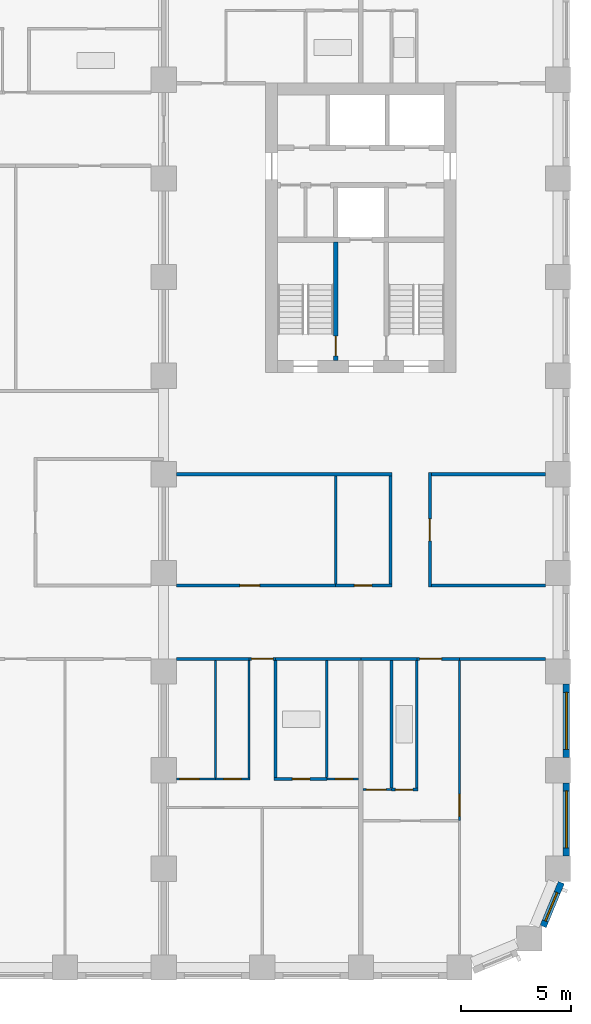
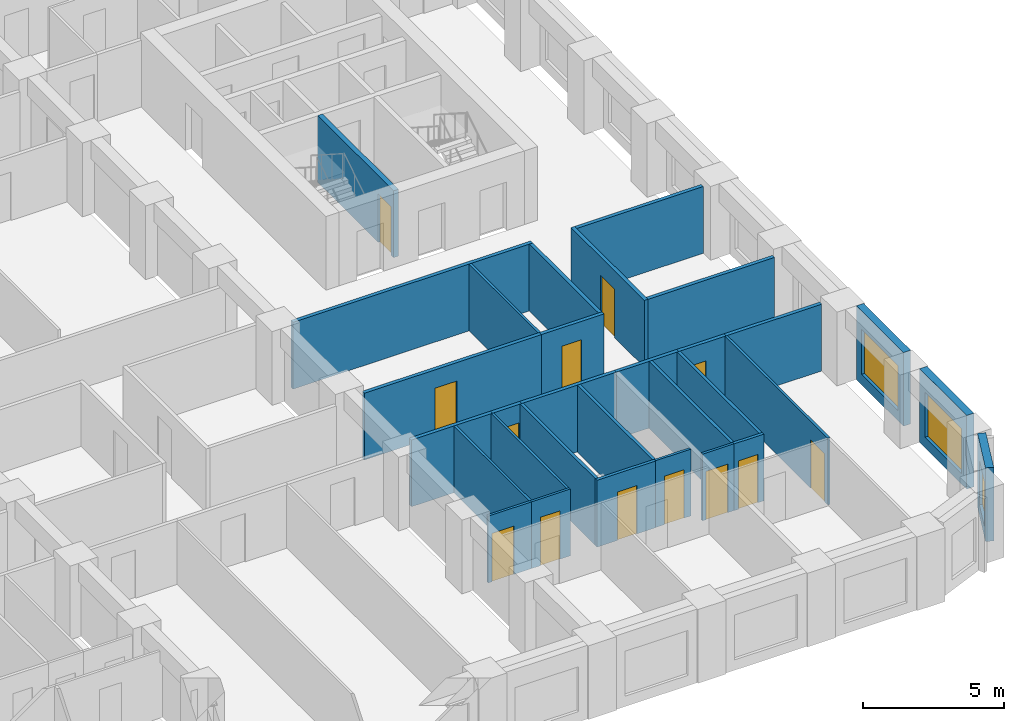
# One storey, part 5 of 13: 31 walls, 13 doors, 3 windows, 16 openings.
"""IFC4 building model written with IfcOpenShell, lengths in metres."""

import ifcopenshell
import ifcopenshell.guid

model = None  # the IFC model being written
_history = None  # IfcOwnerHistory: only IFC2X3 demands one
_inside = {}  # id of a spatial element -> (the spatial element, [elements in it])
_under = {}  # id of a project, library or spatial element -> (it, [spatial elements below it])
_declared = {}  # id of a project -> (the project, [libraries it declares])
_typed = {}  # id of a type object -> (the type object, [elements of that type])
_made_of = {}  # id of a material, layer set ... -> (it, [elements and type objects made of it])


def new_model(schema):
    """Start an empty IFC model of exactly this schema.

    Asked for "IFC4X3", IfcOpenShell would pick the latest addendum, in which some entities
    have other attributes; the version numbers below select the first issue.
    IFC2X3 requires an IfcOwnerHistory on every rooted entity: one is made here for all.
    """
    global model, _history
    if schema == "IFC4X3":
        model = ifcopenshell.file(schema_version=(4, 3, 0, 0))
    else:
        model = ifcopenshell.file(schema=schema)
    _inside.clear()
    _under.clear()
    _declared.clear()
    _typed.clear()
    _made_of.clear()
    _history = None
    if model.schema == "IFC2X3":
        org = make("IfcOrganization", Name="unknown")
        user = make(
            "IfcPersonAndOrganization",
            ThePerson=make("IfcPerson", FamilyName="unknown"),
            TheOrganization=org,
        )
        app = make(
            "IfcApplication",
            ApplicationDeveloper=org,
            Version="unknown",
            ApplicationFullName="unknown",
            ApplicationIdentifier="unknown",
        )
        _history = make(
            "IfcOwnerHistory",
            OwningUser=user,
            OwningApplication=app,
            ChangeAction="ADDED",
            CreationDate=0,
        )
    return model


def make(cls, **values):
    """One entity of the class cls with the attributes given. An attribute that is None is left unset."""
    return model.create_entity(
        cls, **{name: value for name, value in values.items() if value is not None}
    )


def rooted(cls, **values):
    """An entity with a GlobalId (a new one), such as an element, a storey or a relation."""
    return make(cls, GlobalId=ifcopenshell.guid.new(), OwnerHistory=_history, **values)


def si_unit(unit_type, name, prefix=None):
    """IfcSIUnit, for example si_unit("LENGTHUNIT", "METRE", prefix="MILLI")."""
    return make("IfcSIUnit", UnitType=unit_type, Prefix=prefix, Name=name)


def assignment(units):
    """IfcUnitAssignment: the units of a project."""
    return None if units is None else make("IfcUnitAssignment", Units=units)


def point(xyz):
    """IfcCartesianPoint."""
    return None if xyz is None else make("IfcCartesianPoint", Coordinates=xyz)


def direction(xyz):
    """IfcDirection."""
    return None if xyz is None else make("IfcDirection", DirectionRatios=xyz)


def frame(location, z_axis=None, x_axis=None):
    """IfcAxis2Placement3D, a coordinate frame: its origin and axes. An axis left out is left unset."""
    return make(
        "IfcAxis2Placement3D",
        Location=point(location),
        Axis=direction(z_axis),
        RefDirection=direction(x_axis),
    )


def frame_2d(location, x_axis=None):
    """IfcAxis2Placement2D, a coordinate frame in the plane: its origin and x axis."""
    return make(
        "IfcAxis2Placement2D", Location=point(location), RefDirection=direction(x_axis)
    )


def origin():
    """The frame at (0, 0, 0) with its axes left unset."""
    return frame((0.0, 0.0, 0.0))


def place(relative_to, where):
    """IfcLocalPlacement: puts the frame where relative to a parent placement (None: the world)."""
    return make(
        "IfcLocalPlacement", PlacementRelTo=relative_to, RelativePlacement=where
    )


def context(
    kind, dimensions, precision=None, world=None, true_north=None, identifier=None
):
    """IfcGeometricRepresentationContext, for example the 3D "Model" context."""
    return make(
        "IfcGeometricRepresentationContext",
        ContextIdentifier=identifier,
        ContextType=kind,
        CoordinateSpaceDimension=dimensions,
        Precision=precision,
        WorldCoordinateSystem=world,
        TrueNorth=true_north,
    )


def subcontext(parent, identifier, kind, view, scale=None):
    """IfcGeometricRepresentationSubContext, for example "Body" below "Model"."""
    return make(
        "IfcGeometricRepresentationSubContext",
        ContextIdentifier=identifier,
        ContextType=kind,
        ParentContext=parent,
        TargetScale=scale,
        TargetView=view,
    )


def project(units=None, contexts=None):
    """IfcProject with its units and contexts."""
    return rooted(
        "IfcProject",
        Name="project",
        RepresentationContexts=contexts,
        UnitsInContext=assignment(units),
    )


def spatial(cls, under=None, at=None, **own):
    """A site, building, storey or space (cls), placed at a placement, below another one or the project."""
    s = rooted(cls, ObjectPlacement=at, **own)
    if under is not None:
        _under.setdefault(under.id(), (under, []))[1].append(s)
    return s


def profile(cls, at=None, kind="AREA", **sizes):
    """A parametric profile (cls). Its sizes go by their IFC names, for example OverallWidth=200.0."""
    return make(cls, ProfileType=kind, Position=at, **sizes)


def rectangle(**sizes):
    """IfcRectangleProfileDef."""
    return profile("IfcRectangleProfileDef", **sizes)


def extrude(swept, where, along, depth):
    """IfcExtrudedAreaSolid: the profile swept, set in the frame where, extruded along a direction by depth."""
    return make(
        "IfcExtrudedAreaSolid",
        SweptArea=swept,
        Position=where,
        ExtrudedDirection=direction(along),
        Depth=depth,
    )


def shape(context_of_items, identifier, shape_type, items):
    """IfcShapeRepresentation: the items that make up one representation, for example the "Body"."""
    return make(
        "IfcShapeRepresentation",
        ContextOfItems=context_of_items,
        RepresentationIdentifier=identifier,
        RepresentationType=shape_type,
        Items=items,
    )


def material(Name=None, Category=None):
    """IfcMaterial."""
    return make("IfcMaterial", Name=Name, Category=Category)


def layer(
    of_material, thickness, ventilated=None, Name=None, Category=None, Priority=None
):
    """IfcMaterialLayer: one layer of a wall or slab, of a material (None: an air gap)."""
    return make(
        "IfcMaterialLayer",
        Material=of_material,
        LayerThickness=thickness,
        IsVentilated=ventilated,
        Name=Name,
        Category=Category,
        Priority=Priority,
    )


def layer_set(layers, Name=None):
    """IfcMaterialLayerSet."""
    return make("IfcMaterialLayerSet", MaterialLayers=layers, LayerSetName=Name)


def made_of(thing, what):
    """Note that an element or type object is made of a material, layer set ...; save() writes the relation."""
    if what is not None:
        _made_of.setdefault(what.id(), (what, []))[1].append(thing)
    return thing


def type_object(cls, material=None, **own):
    """A type object (cls), such as IfcWallType, which elements share."""
    return made_of(rooted(cls, **own), material)


def element(
    cls,
    number,
    at=None,
    inside=None,
    cuts=None,
    type_object=None,
    material=None,
    context=None,
    identifier="Body",
    shape_type=None,
    held_by="IfcProductDefinitionShape",
    body=None,
    shapes=None,
    **own,
):
    """One element of the class cls, such as IfcWall. Its Tag is "e" and its number.

    at: its placement. inside: the storey or other place that contains it. cuts: it is an
    opening in that element (IfcRelVoidsElement). A single representation is given by context,
    identifier, shape_type and body (its items); several are given by shapes. held_by: the class
    of the entity that holds the representations. save() writes the other relations.
    """
    e = rooted(cls, Tag="e%d" % number, ObjectPlacement=at, **own)
    if body is not None:
        shapes = [shape(context, identifier, shape_type, body)]
    if shapes is not None:
        e.Representation = make(held_by, Representations=shapes)
    if inside is not None:
        _inside.setdefault(inside.id(), (inside, []))[1].append(e)
    if cuts is not None:
        rooted(
            "IfcRelVoidsElement", RelatingBuildingElement=cuts, RelatedOpeningElement=e
        )
    if type_object is not None:
        _typed.setdefault(type_object.id(), (type_object, []))[1].append(e)
    return made_of(e, material)


def fill(opening, filler):
    """IfcRelFillsElement: the door or window that sits in an opening."""
    return rooted(
        "IfcRelFillsElement",
        RelatingOpeningElement=opening,
        RelatedBuildingElement=filler,
    )


def aggregate(whole, parts):
    """IfcRelAggregates: a whole, such as a stair, and the parts it consists of."""
    return rooted("IfcRelAggregates", RelatingObject=whole, RelatedObjects=parts)


def save(model, path):
    """Write the relations noted so far, then the file.

    IfcRelAggregates (storeys below a building ...), IfcRelContainedInSpatialStructure (elements
    in a storey), IfcRelDefinesByType, IfcRelAssociatesMaterial and IfcRelDeclares: one each for
    every whole, place, type object, material and project.
    """
    for whole, parts in _under.values():
        aggregate(whole, parts)
    for where, things in _inside.values():
        rooted(
            "IfcRelContainedInSpatialStructure",
            RelatedElements=things,
            RelatingStructure=where,
        )
    for kind, things in _typed.values():
        rooted("IfcRelDefinesByType", RelatedObjects=things, RelatingType=kind)
    for what, things in _made_of.values():
        rooted("IfcRelAssociatesMaterial", RelatedObjects=things, RelatingMaterial=what)
    for by, libraries in _declared.values():
        rooted("IfcRelDeclares", RelatingContext=by, RelatedDefinitions=libraries)
    model.write(path)


model = new_model("IFC4")

# Units and contexts
model_context = context("Model", 3, precision=1e-05, world=origin(), true_north=direction((0.0, 1.0)))
body_context = subcontext(model_context, "Body", "Model", "MODEL_VIEW")
ifc_project = project(units=[si_unit("LENGTHUNIT", "METRE"), si_unit("AREAUNIT", "SQUARE_METRE"), si_unit("VOLUMEUNIT", "CUBIC_METRE"), si_unit("PLANEANGLEUNIT", "RADIAN"), si_unit("MASSUNIT", "GRAM", prefix="KILO")], contexts=[model_context])

# Site, building, storey
site_placement = place(None, origin())
site = spatial("IfcSite", under=ifc_project, at=site_placement, CompositionType="ELEMENT")
building_placement = place(site_placement, origin())
building = spatial("IfcBuilding", under=site, at=building_placement, Name="Girih Gate Residences", CompositionType="ELEMENT")
storey_placement = place(building_placement, frame((0.0, 0.0, 86.39990234375)))
storey = spatial("IfcBuildingStorey", under=building, at=storey_placement, Name="L23", CompositionType="ELEMENT", Elevation=86.39990234375)

# Wall, opening, door
ifc_material_1 = material(Name="Gypsum board on steel studs", Category="steel")
ifc_layer_1 = layer(ifc_material_1, 0.14990234375)
ifc_layer_set_1 = layer_set([ifc_layer_1], Name="Compartment wall 150 mm")
wall_type_1 = type_object("IfcWallType", Name="Compartment wall 150 mm", PredefinedType="PARTITIONING", material=ifc_layer_set_1)
wall_1_placement = place(storey_placement, frame((45.0, 14.074951171875, 0.0), z_axis=(0.0, 0.0, 1.0), x_axis=(-1.0, 0.0, 0.0)))
wall_1 = element("IfcWall", 1, at=wall_1_placement, inside=storey, type_object=wall_type_1, Name="L23 partition", PredefinedType="PARTITIONING", context=body_context, shape_type="SweptSolid", body=[
    extrude(rectangle(XDim=1.949951171875, YDim=0.14990234375, at=frame_2d((0.97509765625, 0.0))), origin(), (0.0, 0.0, 1.0), 2.900146484375),
])
opening_1_placement = place(wall_1_placement, frame((0.820068359375, 0.0, 0.0)))
opening_1 = element("IfcOpeningElement", 2, at=opening_1_placement, cuts=wall_1, Name="Opening A23-022", PredefinedType="OPENING", context=body_context, shape_type="SweptSolid", body=[
    extrude(rectangle(XDim=1.0, YDim=2.10009765625, at=frame_2d((0.5, 1.050048828125))), frame((0.0, 0.0849609375, 0.0), z_axis=(0.0, -1.0, 0.0), x_axis=(1.0, 0.0, 0.0)), (0.0, 0.0, 1.0), 0.169921875),
])
ifc_material_2 = material(Name="Timber, fire-rated core", Category="wood")
door_type_1 = type_object("IfcDoorType", Name="Flat entrance door 1000x2100 FD30S", OperationType="NOTDEFINED", PredefinedType="DOOR", material=ifc_material_2)
door_1_placement = place(opening_1_placement, origin())
door_1 = element("IfcDoor", 3, at=door_1_placement, inside=storey, type_object=door_type_1, Name="Door A23-022", OperationType="SINGLE_SWING_RIGHT", OverallHeight=2.10009765625, OverallWidth=1.0, PredefinedType="DOOR", context=body_context, shape_type="SweptSolid", body=[
    extrude(rectangle(XDim=1.0, YDim=2.10009765625, at=frame_2d((0.5, 1.050048828125))), frame((0.0, 0.02490234375, 0.0), z_axis=(0.0, -1.0, 0.0), x_axis=(1.0, 0.0, 0.0)), (0.0, 0.0, 1.0), 0.050048828125),
])
fill(opening_1, door_1)

# Walls
wall_2_placement = place(storey_placement, frame((40.5, 14.074951171875, 0.0), z_axis=(0.0, 0.0, 1.0), x_axis=(1.0, 0.0, 0.0)))
element("IfcWall", 4, at=wall_2_placement, inside=storey, type_object=wall_type_1, Name="L23 partition", PredefinedType="PARTITIONING", context=body_context, shape_type="SweptSolid", body=[
    extrude(rectangle(XDim=2.550048828125, YDim=0.14990234375, at=frame_2d((1.27490234375, 0.0))), origin(), (0.0, 0.0, 1.0), 2.900146484375),
])
wall_3_placement = place(storey_placement, frame((45.0, 14.074951171875, 0.0), z_axis=(0.0, 0.0, 1.0), x_axis=(1.0, 0.0, 0.0)))
element("IfcWall", 5, at=wall_3_placement, inside=storey, type_object=wall_type_1, Name="L23 partition", PredefinedType="PARTITIONING", context=body_context, shape_type="SweptSolid", body=[
    extrude(rectangle(XDim=3.925048828125, YDim=0.14990234375, at=frame_2d((1.96240234375, 0.0))), origin(), (0.0, 0.0, 1.0), 2.900146484375),
])
wall_4_placement = place(storey_placement, frame((36.60009765625, 14.074951171875, 0.0), z_axis=(0.0, 0.0, 1.0), x_axis=(1.0, 0.0, 0.0)))
element("IfcWall", 6, at=wall_4_placement, inside=storey, type_object=wall_type_1, Name="L23 partition", PredefinedType="PARTITIONING", context=body_context, shape_type="SweptSolid", body=[
    extrude(rectangle(XDim=3.89990234375, YDim=0.14990234375, at=frame_2d((1.949951171875, 0.0))), origin(), (0.0, 0.0, 1.0), 2.900146484375),
])

# Wall, opening, door
wall_5_placement = place(storey_placement, frame((36.60009765625, 14.074951171875, 0.0), z_axis=(0.0, 0.0, 1.0), x_axis=(-1.0, 0.0, 0.0)))
wall_5 = element("IfcWall", 7, at=wall_5_placement, inside=storey, type_object=wall_type_1, Name="L23 partition", PredefinedType="PARTITIONING", context=body_context, shape_type="SweptSolid", body=[
    extrude(rectangle(XDim=1.2001953125, YDim=0.14990234375, at=frame_2d((0.60009765625, 0.0))), origin(), (0.0, 0.0, 1.0), 2.900146484375),
])
opening_2_placement = place(wall_5_placement, frame((0.10009765625, 0.0, 0.0)))
opening_2 = element("IfcOpeningElement", 8, at=opening_2_placement, cuts=wall_5, Name="Opening A23-029", PredefinedType="OPENING", context=body_context, shape_type="SweptSolid", body=[
    extrude(rectangle(XDim=1.0, YDim=2.10009765625, at=frame_2d((0.5, 1.050048828125))), frame((0.0, 0.0849609375, 0.0), z_axis=(0.0, -1.0, 0.0), x_axis=(1.0, 0.0, 0.0)), (0.0, 0.0, 1.0), 0.169921875),
])
door_2_placement = place(opening_2_placement, origin())
door_2 = element("IfcDoor", 9, at=door_2_placement, inside=storey, type_object=door_type_1, Name="Door A23-029", OperationType="SINGLE_SWING_RIGHT", OverallHeight=2.10009765625, OverallWidth=1.0, PredefinedType="DOOR", context=body_context, shape_type="SweptSolid", body=[
    extrude(rectangle(XDim=1.0, YDim=2.10009765625, at=frame_2d((0.5, 1.050048828125))), frame((0.0, 0.02490234375, 0.0), z_axis=(0.0, -1.0, 0.0), x_axis=(1.0, 0.0, 0.0)), (0.0, 0.0, 1.0), 0.050048828125),
])
fill(opening_2, door_2)

# Wall
wall_6_placement = place(storey_placement, frame((32.074951171875, 14.074951171875, 0.0), z_axis=(0.0, 0.0, 1.0), x_axis=(1.0, 0.0, 0.0)))
element("IfcWall", 10, at=wall_6_placement, inside=storey, type_object=wall_type_1, Name="L23 partition", PredefinedType="PARTITIONING", context=body_context, shape_type="SweptSolid", body=[
    extrude(rectangle(XDim=3.324951171875, YDim=0.14990234375, at=frame_2d((1.66259765625, 0.0))), origin(), (0.0, 0.0, 1.0), 2.900146484375),
])

# Wall, opening, door
wall_7_placement = place(storey_placement, frame((32.074951171875, 17.425048828125, 0.0), z_axis=(0.0, 0.0, 1.0), x_axis=(1.0, 0.0, 0.0)))
wall_7 = element("IfcWall", 11, at=wall_7_placement, inside=storey, type_object=wall_type_1, Name="L23 partition", PredefinedType="PARTITIONING", context=body_context, shape_type="SweptSolid", body=[
    extrude(rectangle(XDim=7.275146484375, YDim=0.14990234375, at=frame_2d((3.6376953125, 0.0))), origin(), (0.0, 0.0, 1.0), 2.900146484375),
])
opening_3_placement = place(wall_7_placement, frame((2.89990234375, 0.0, 0.0)))
opening_3 = element("IfcOpeningElement", 12, at=opening_3_placement, cuts=wall_7, Name="Opening A23-055", PredefinedType="OPENING", context=body_context, shape_type="SweptSolid", body=[
    extrude(rectangle(XDim=0.89990234375, YDim=2.10009765625, at=frame_2d((0.449951171875, 1.050048828125))), frame((0.0, 0.0849609375, 0.0), z_axis=(0.0, -1.0, 0.0), x_axis=(1.0, 0.0, 0.0)), (0.0, 0.0, 1.0), 0.169921875),
])
ifc_material_3 = material(Name="Timber", Category="wood")
door_type_2 = type_object("IfcDoorType", Name="Service room door 900x2100", OperationType="NOTDEFINED", PredefinedType="DOOR", material=ifc_material_3)
door_3_placement = place(opening_3_placement, origin())
door_3 = element("IfcDoor", 13, at=door_3_placement, inside=storey, type_object=door_type_2, Name="Door A23-055", OperationType="SINGLE_SWING_LEFT", OverallHeight=2.10009765625, OverallWidth=0.89990234375, PredefinedType="DOOR", context=body_context, shape_type="SweptSolid", body=[
    extrude(rectangle(XDim=0.89990234375, YDim=2.10009765625, at=frame_2d((0.449951171875, 1.050048828125))), frame((0.0, 0.02490234375, 0.0), z_axis=(0.0, -1.0, 0.0), x_axis=(1.0, 0.0, 0.0)), (0.0, 0.0, 1.0), 0.050048828125),
])
fill(opening_3, door_3)

wall_8_placement = place(storey_placement, frame((39.35009765625, 17.425048828125, 0.0), z_axis=(0.0, 0.0, 1.0), x_axis=(1.0, 0.0, 0.0)))
wall_8 = element("IfcWall", 14, at=wall_8_placement, inside=storey, type_object=wall_type_1, Name="L23 partition", PredefinedType="PARTITIONING", context=body_context, shape_type="SweptSolid", body=[
    extrude(rectangle(XDim=2.574951171875, YDim=0.14990234375, at=frame_2d((1.28759765625, 0.0))), origin(), (0.0, 0.0, 1.0), 2.900146484375),
])
opening_4_placement = place(wall_8_placement, frame((0.85009765625, 0.0, 0.0)))
opening_4 = element("IfcOpeningElement", 15, at=opening_4_placement, cuts=wall_8, Name="Opening A23-057", PredefinedType="OPENING", context=body_context, shape_type="SweptSolid", body=[
    extrude(rectangle(XDim=0.800048828125, YDim=2.10009765625, at=frame_2d((0.39990234375, 1.050048828125))), frame((0.0, 0.0849609375, 0.0), z_axis=(0.0, -1.0, 0.0), x_axis=(1.0, 0.0, 0.0)), (0.0, 0.0, 1.0), 0.169921875),
])
door_type_3 = type_object("IfcDoorType", Name="Bathroom door 800x2100", OperationType="NOTDEFINED", PredefinedType="DOOR", material=ifc_material_3)
door_4_placement = place(opening_4_placement, origin())
door_4 = element("IfcDoor", 16, at=door_4_placement, inside=storey, type_object=door_type_3, Name="Door A23-057", OperationType="SINGLE_SWING_LEFT", OverallHeight=2.10009765625, OverallWidth=0.800048828125, PredefinedType="DOOR", context=body_context, shape_type="SweptSolid", body=[
    extrude(rectangle(XDim=0.800048828125, YDim=2.10009765625, at=frame_2d((0.39990234375, 1.050048828125))), frame((0.0, 0.02490234375, 0.0), z_axis=(0.0, -1.0, 0.0), x_axis=(1.0, 0.0, 0.0)), (0.0, 0.0, 1.0), 0.050048828125),
])
fill(opening_4, door_4)

# Walls
wall_9_placement = place(storey_placement, frame((43.72509765625, 17.425048828125, 0.0), z_axis=(0.0, 0.0, 1.0), x_axis=(1.0, 0.0, 0.0)))
element("IfcWall", 17, at=wall_9_placement, inside=storey, type_object=wall_type_1, Name="L23 partition", PredefinedType="PARTITIONING", context=body_context, shape_type="SweptSolid", body=[
    extrude(rectangle(XDim=5.199951171875, YDim=0.14990234375, at=frame_2d((2.60009765625, 0.0))), origin(), (0.0, 0.0, 1.0), 2.900146484375),
])
wall_10_placement = place(storey_placement, frame((32.074951171875, 22.5, 0.0), z_axis=(0.0, 0.0, 1.0), x_axis=(1.0, 0.0, 0.0)))
element("IfcWall", 18, at=wall_10_placement, inside=storey, type_object=wall_type_1, Name="L23 partition", PredefinedType="PARTITIONING", context=body_context, shape_type="SweptSolid", body=[
    extrude(rectangle(XDim=9.85009765625, YDim=0.14990234375, at=frame_2d((4.925048828125, 0.0))), origin(), (0.0, 0.0, 1.0), 2.900146484375),
])
wall_11_placement = place(storey_placement, frame((43.72509765625, 22.5, 0.0), z_axis=(0.0, 0.0, 1.0), x_axis=(1.0, 0.0, 0.0)))
element("IfcWall", 19, at=wall_11_placement, inside=storey, type_object=wall_type_1, Name="L23 partition", PredefinedType="PARTITIONING", context=body_context, shape_type="SweptSolid", body=[
    extrude(rectangle(XDim=5.199951171875, YDim=0.14990234375, at=frame_2d((2.60009765625, 0.0))), origin(), (0.0, 0.0, 1.0), 2.900146484375),
])
wall_12_placement = place(storey_placement, frame((41.85009765625, 17.5, 0.0), z_axis=(0.0, 0.0, 1.0), x_axis=(0.0, 1.0, 0.0)))
element("IfcWall", 20, at=wall_12_placement, inside=storey, type_object=wall_type_1, Name="L23 partition", PredefinedType="PARTITIONING", context=body_context, shape_type="SweptSolid", body=[
    extrude(rectangle(XDim=4.925048828125, YDim=0.14990234375, at=frame_2d((2.46240234375, 0.0))), origin(), (0.0, 0.0, 1.0), 2.900146484375),
])

# Wall, opening, door
wall_13_placement = place(storey_placement, frame((43.64990234375, 22.574951171875, 0.0), z_axis=(0.0, 0.0, 1.0), x_axis=(0.0, -1.0, 0.0)))
wall_13 = element("IfcWall", 21, at=wall_13_placement, inside=storey, type_object=wall_type_1, Name="L23 partition", PredefinedType="PARTITIONING", context=body_context, shape_type="SweptSolid", body=[
    extrude(rectangle(XDim=5.224853515625, YDim=0.14990234375, at=frame_2d((2.6123046875, 0.0))), origin(), (0.0, 0.0, 1.0), 2.900146484375),
])
opening_5_placement = place(wall_13_placement, frame((2.112548828125, 0.0, 0.0)))
opening_5 = element("IfcOpeningElement", 22, at=opening_5_placement, cuts=wall_13, Name="Opening A23-059", PredefinedType="OPENING", context=body_context, shape_type="SweptSolid", body=[
    extrude(rectangle(XDim=1.0, YDim=2.10009765625, at=frame_2d((0.5, 1.050048828125))), frame((0.0, 0.0849609375, 0.0), z_axis=(0.0, -1.0, 0.0), x_axis=(1.0, 0.0, 0.0)), (0.0, 0.0, 1.0), 0.169921875),
])
door_type_4 = type_object("IfcDoorType", Name="Amenity room door 1000x2100 FD30S", OperationType="NOTDEFINED", PredefinedType="DOOR", material=ifc_material_2)
door_5_placement = place(opening_5_placement, origin())
door_5 = element("IfcDoor", 23, at=door_5_placement, inside=storey, type_object=door_type_4, Name="Door A23-059", OperationType="SINGLE_SWING_RIGHT", OverallHeight=2.10009765625, OverallWidth=1.0, PredefinedType="DOOR", context=body_context, shape_type="SweptSolid", body=[
    extrude(rectangle(XDim=1.0, YDim=2.10009765625, at=frame_2d((0.5, 1.050048828125))), frame((0.0, 0.02490234375, 0.0), z_axis=(0.0, -1.0, 0.0), x_axis=(1.0, 0.0, 0.0)), (0.0, 0.0, 1.0), 0.050048828125),
])
fill(opening_5, door_5)

ifc_layer_2 = layer(ifc_material_1, 0.10009765625)
ifc_layer_set_2 = layer_set([ifc_layer_2], Name="Partition 100 mm")
wall_type_2 = type_object("IfcWallType", Name="Partition 100 mm", PredefinedType="PARTITIONING", material=ifc_layer_set_2)
wall_14_placement = place(storey_placement, frame((40.60009765625, 8.114990234375, 0.0), z_axis=(0.0, 0.0, 1.0), x_axis=(1.0, 0.0, 0.0)))
wall_14 = element("IfcWall", 24, at=wall_14_placement, inside=storey, type_object=wall_type_2, Name="L23 partition", PredefinedType="PARTITIONING", context=body_context, shape_type="SweptSolid", body=[
    extrude(rectangle(XDim=1.290771484375, YDim=0.10009765625, at=frame_2d((0.6455078125, 0.0))), origin(), (0.0, 0.0, 1.0), 2.900146484375),
])
opening_6_placement = place(wall_14_placement, frame((0.1455078125, 0.0, 0.0)))
opening_6 = element("IfcOpeningElement", 25, at=opening_6_placement, cuts=wall_14, Name="Opening A23-020", PredefinedType="OPENING", context=body_context, shape_type="SweptSolid", body=[
    extrude(rectangle(XDim=0.89990234375, YDim=2.10009765625, at=frame_2d((0.449951171875, 1.050048828125))), frame((0.0, 0.06005859375, 0.0), z_axis=(0.0, -1.0, 0.0), x_axis=(1.0, 0.0, 0.0)), (0.0, 0.0, 1.0), 0.1201171875),
])
door_type_5 = type_object("IfcDoorType", Name="Kitchen door 900x2100", OperationType="NOTDEFINED", PredefinedType="DOOR", material=ifc_material_3)
door_6_placement = place(opening_6_placement, origin())
door_6 = element("IfcDoor", 26, at=door_6_placement, inside=storey, type_object=door_type_5, Name="Door A23-020", OperationType="SINGLE_SWING_LEFT", OverallHeight=2.10009765625, OverallWidth=0.89990234375, PredefinedType="DOOR", context=body_context, shape_type="SweptSolid", body=[
    extrude(rectangle(XDim=0.89990234375, YDim=2.10009765625, at=frame_2d((0.449951171875, 1.050048828125))), frame((0.0, 0.02490234375, 0.0), z_axis=(0.0, -1.0, 0.0), x_axis=(1.0, 0.0, 0.0)), (0.0, 0.0, 1.0), 0.050048828125),
])
fill(opening_6, door_6)

wall_15_placement = place(storey_placement, frame((45.0, 14.0, 0.0), z_axis=(0.0, 0.0, 1.0), x_axis=(0.0, -1.0, 0.0)))
wall_15 = element("IfcWall", 27, at=wall_15_placement, inside=storey, type_object=wall_type_2, Name="L23 partition", PredefinedType="PARTITIONING", context=body_context, shape_type="SweptSolid", body=[
    extrude(rectangle(XDim=7.304931640625, YDim=0.10009765625, at=frame_2d((3.65234375, 0.0))), origin(), (0.0, 0.0, 1.0), 2.900146484375),
])
opening_7_placement = place(wall_15_placement, frame((6.094970703125, 0.0, 0.0)))
opening_7 = element("IfcOpeningElement", 28, at=opening_7_placement, cuts=wall_15, Name="Opening A23-021", PredefinedType="OPENING", context=body_context, shape_type="SweptSolid", body=[
    extrude(rectangle(XDim=1.0, YDim=2.10009765625, at=frame_2d((0.5, 1.050048828125))), frame((0.0, 0.06005859375, 0.0), z_axis=(0.0, -1.0, 0.0), x_axis=(1.0, 0.0, 0.0)), (0.0, 0.0, 1.0), 0.1201171875),
])
door_type_6 = type_object("IfcDoorType", Name="Living room door 1000x2100", OperationType="NOTDEFINED", PredefinedType="DOOR", material=ifc_material_3)
door_7_placement = place(opening_7_placement, origin())
door_7 = element("IfcDoor", 29, at=door_7_placement, inside=storey, type_object=door_type_6, Name="Door A23-021", OperationType="SINGLE_SWING_RIGHT", OverallHeight=2.10009765625, OverallWidth=1.0, PredefinedType="DOOR", context=body_context, shape_type="SweptSolid", body=[
    extrude(rectangle(XDim=1.0, YDim=2.10009765625, at=frame_2d((0.5, 1.050048828125))), frame((0.0, 0.02490234375, 0.0), z_axis=(0.0, -1.0, 0.0), x_axis=(1.0, 0.0, 0.0)), (0.0, 0.0, 1.0), 0.050048828125),
])
fill(opening_7, door_7)

wall_16_placement = place(storey_placement, frame((32.074951171875, 8.594970703125, 0.0), z_axis=(0.0, 0.0, 1.0), x_axis=(1.0, 0.0, 0.0)))
wall_16 = element("IfcWall", 30, at=wall_16_placement, inside=storey, type_object=wall_type_2, Name="L23 partition", PredefinedType="PARTITIONING", context=body_context, shape_type="SweptSolid", body=[
    extrude(rectangle(XDim=1.78955078125, YDim=0.10009765625, at=frame_2d((0.894775390625, 0.0))), origin(), (0.0, 0.0, 1.0), 2.900146484375),
])
opening_8_placement = place(wall_16_placement, frame((0.1572265625, 0.0, 0.0)))
opening_8 = element("IfcOpeningElement", 31, at=opening_8_placement, cuts=wall_16, Name="Opening A23-025", PredefinedType="OPENING", context=body_context, shape_type="SweptSolid", body=[
    extrude(rectangle(XDim=0.89990234375, YDim=2.10009765625, at=frame_2d((0.449951171875, 1.050048828125))), frame((0.0, 0.06005859375, 0.0), z_axis=(0.0, -1.0, 0.0), x_axis=(1.0, 0.0, 0.0)), (0.0, 0.0, 1.0), 0.1201171875),
])
door_8_placement = place(opening_8_placement, origin())
door_8 = element("IfcDoor", 32, at=door_8_placement, inside=storey, type_object=door_type_5, Name="Door A23-025", OperationType="SINGLE_SWING_LEFT", OverallHeight=2.10009765625, OverallWidth=0.89990234375, PredefinedType="DOOR", context=body_context, shape_type="SweptSolid", body=[
    extrude(rectangle(XDim=0.89990234375, YDim=2.10009765625, at=frame_2d((0.449951171875, 1.050048828125))), frame((0.0, 0.02490234375, 0.0), z_axis=(0.0, -1.0, 0.0), x_axis=(1.0, 0.0, 0.0)), (0.0, 0.0, 1.0), 0.050048828125),
])
fill(opening_8, door_8)

wall_17_placement = place(storey_placement, frame((38.946533203125, 8.594970703125, 0.0), z_axis=(0.0, 0.0, 1.0), x_axis=(1.0, 0.0, 0.0)))
wall_17 = element("IfcWall", 33, at=wall_17_placement, inside=storey, type_object=wall_type_2, Name="L23 partition", PredefinedType="PARTITIONING", context=body_context, shape_type="SweptSolid", body=[
    extrude(rectangle(XDim=1.453369140625, YDim=0.10009765625, at=frame_2d((0.7265625, 0.0))), origin(), (0.0, 0.0, 1.0), 2.900146484375),
])
opening_9_placement = place(wall_17_placement, frame((0.376708984375, 0.0, 0.0)))
opening_9 = element("IfcOpeningElement", 34, at=opening_9_placement, cuts=wall_17, Name="Opening A23-027", PredefinedType="OPENING", context=body_context, shape_type="SweptSolid", body=[
    extrude(rectangle(XDim=0.800048828125, YDim=2.10009765625, at=frame_2d((0.39990234375, 1.050048828125))), frame((0.0, 0.06005859375, 0.0), z_axis=(0.0, -1.0, 0.0), x_axis=(1.0, 0.0, 0.0)), (0.0, 0.0, 1.0), 0.1201171875),
])
door_type_7 = type_object("IfcDoorType", Name="Store door 800x2100", OperationType="NOTDEFINED", PredefinedType="DOOR", material=ifc_material_3)
door_9_placement = place(opening_9_placement, origin())
door_9 = element("IfcDoor", 35, at=door_9_placement, inside=storey, type_object=door_type_7, Name="Door A23-027", OperationType="SINGLE_SWING_RIGHT", OverallHeight=2.10009765625, OverallWidth=0.800048828125, PredefinedType="DOOR", context=body_context, shape_type="SweptSolid", body=[
    extrude(rectangle(XDim=0.800048828125, YDim=2.10009765625, at=frame_2d((0.39990234375, 1.050048828125))), frame((0.0, 0.02490234375, 0.0), z_axis=(0.0, -1.0, 0.0), x_axis=(1.0, 0.0, 0.0)), (0.0, 0.0, 1.0), 0.050048828125),
])
fill(opening_9, door_9)

wall_18_placement = place(storey_placement, frame((33.864501953125, 8.594970703125, 0.0), z_axis=(0.0, 0.0, 1.0), x_axis=(1.0, 0.0, 0.0)))
wall_18 = element("IfcWall", 36, at=wall_18_placement, inside=storey, type_object=wall_type_2, Name="L23 partition", PredefinedType="PARTITIONING", context=body_context, shape_type="SweptSolid", body=[
    extrude(rectangle(XDim=1.58544921875, YDim=0.10009765625, at=frame_2d((0.792724609375, 0.0))), origin(), (0.0, 0.0, 1.0), 2.900146484375),
])
opening_10_placement = place(wall_18_placement, frame((0.367919921875, 0.0, 0.0)))
opening_10 = element("IfcOpeningElement", 37, at=opening_10_placement, cuts=wall_18, Name="Opening A23-028", PredefinedType="OPENING", context=body_context, shape_type="SweptSolid", body=[
    extrude(rectangle(XDim=0.800048828125, YDim=2.10009765625, at=frame_2d((0.39990234375, 1.050048828125))), frame((0.0, 0.06005859375, 0.0), z_axis=(0.0, -1.0, 0.0), x_axis=(1.0, 0.0, 0.0)), (0.0, 0.0, 1.0), 0.1201171875),
])
door_10_placement = place(opening_10_placement, origin())
door_10 = element("IfcDoor", 38, at=door_10_placement, inside=storey, type_object=door_type_7, Name="Door A23-028", OperationType="SINGLE_SWING_LEFT", OverallHeight=2.10009765625, OverallWidth=0.800048828125, PredefinedType="DOOR", context=body_context, shape_type="SweptSolid", body=[
    extrude(rectangle(XDim=0.800048828125, YDim=2.10009765625, at=frame_2d((0.39990234375, 1.050048828125))), frame((0.0, 0.02490234375, 0.0), z_axis=(0.0, -1.0, 0.0), x_axis=(1.0, 0.0, 0.0)), (0.0, 0.0, 1.0), 0.050048828125),
])
fill(opening_10, door_10)

# Walls
for number, where, z_axis, x_axis, name in (
    (39, (35.39990234375, 8.64501953125, 0.0), (0.0, 0.0, 1.0), (0.0, 1.0, 0.0), "L23 partition"),
    (40, (33.864013671875, 8.64501953125, 0.0), (0.0, 0.0, 1.0), (0.0, 1.0, 0.0), "L23 partition"),
):
    element("IfcWall", number, at=place(storey_placement, frame(where, z_axis=z_axis, x_axis=x_axis)), inside=storey, type_object=wall_type_2, Name=name, PredefinedType="PARTITIONING", context=body_context, shape_type="SweptSolid", body=[
        extrude(rectangle(XDim=5.35498046875, YDim=0.10009765625, at=frame_2d((2.677490234375, 0.0))), origin(), (0.0, 0.0, 1.0), 2.900146484375),
    ])
wall_19_placement = place(storey_placement, frame((39.35009765625, 17.5, 0.0), z_axis=(0.0, 0.0, 1.0), x_axis=(0.0, 1.0, 0.0)))
element("IfcWall", 41, at=wall_19_placement, inside=storey, type_object=wall_type_2, Name="L23 partition", PredefinedType="PARTITIONING", context=body_context, shape_type="SweptSolid", body=[
    extrude(rectangle(XDim=4.925048828125, YDim=0.10009765625, at=frame_2d((2.46240234375, 0.0))), origin(), (0.0, 0.0, 1.0), 2.900146484375),
])

# Wall, opening, window
ifc_material_4 = material(Name="Precast concrete C50/60", Category="concrete")
ifc_layer_3 = layer(ifc_material_4, 0.080078125, Name="Outer leaf")
ifc_material_5 = material(Name="Rigid PIR insulation")
ifc_layer_4 = layer(ifc_material_5, 0.14990234375, Name="Insulation")
ifc_material_6 = material(Name="Precast concrete C40/50", Category="concrete")
ifc_layer_5 = layer(ifc_material_6, 0.070068359375, Name="Inner leaf")
ifc_layer_set_3 = layer_set([ifc_layer_3, ifc_layer_4, ifc_layer_5], Name="Precast concrete C50/60 external wall 300")
wall_type_3 = type_object("IfcWallType", Name="Precast concrete C50/60 external wall 300", PredefinedType="SOLIDWALL", material=ifc_layer_set_3)
wall_20_placement = place(storey_placement, frame((49.64404296875, 3.86767578125, 0.0), z_axis=(0.0, 0.0, 1.0), x_axis=(-0.382723818695, -0.923862802911, 0.0)))
wall_20 = element("IfcWall", 42, at=wall_20_placement, inside=storey, type_object=wall_type_3, Name="External wall SE0482_0013.0", PredefinedType="SOLIDWALL", context=body_context, shape_type="SweptSolid", body=[
    extrude(rectangle(XDim=2.163818359375, YDim=0.300048828125, at=frame_2d((1.08203125, 0.0))), origin(), (0.0, 0.0, 1.0), 3.2001953125),
])
opening_11_placement = place(wall_20_placement, frame((0.492919921875, 0.0, 0.449951171875)))
opening_11 = element("IfcOpeningElement", 43, at=opening_11_placement, cuts=wall_20, Name="Opening W-2D", PredefinedType="OPENING", context=body_context, shape_type="SweptSolid", body=[
    extrude(rectangle(XDim=1.39990234375, YDim=1.949951171875, at=frame_2d((0.699951171875, 0.97509765625))), frame((0.0, 0.159912109375, 0.0), z_axis=(0.0, -1.0, 0.0), x_axis=(1.0, 0.0, 0.0)), (0.0, 0.0, 1.0), 0.320068359375),
])
ifc_material_7 = material(Name="Double glazing in aluminium frame", Category="aluminium")
window_type_1 = type_object("IfcWindowType", Name="Window W-2D 1400x1950", PartitioningType="SINGLE_PANEL", PredefinedType="WINDOW", material=ifc_material_7)
window_1_placement = place(opening_11_placement, origin())
window_1 = element("IfcWindow", 44, at=window_1_placement, inside=storey, type_object=window_type_1, Name="Window W-2D SE0482_0013.0", OverallHeight=1.949951171875, OverallWidth=1.39990234375, PartitioningType="SINGLE_PANEL", PredefinedType="WINDOW", context=body_context, shape_type="SweptSolid", body=[
    extrude(rectangle(XDim=1.39990234375, YDim=1.949951171875, at=frame_2d((0.699951171875, 0.97509765625))), frame((0.0, 0.030029296875, 0.0), z_axis=(0.0, -1.0, 0.0), x_axis=(1.0, 0.0, 0.0)), (0.0, 0.0, 1.0), 0.06005859375),
])
fill(opening_11, window_1)

wall_21_placement = place(storey_placement, frame((49.875, 8.425048828125, 0.0), z_axis=(0.0, 0.0, 1.0), x_axis=(0.0, -1.0, 0.0)))
wall_21 = element("IfcWall", 45, at=wall_21_placement, inside=storey, type_object=wall_type_3, Name="External wall E0495_0045.0", PredefinedType="SOLIDWALL", context=body_context, shape_type="SweptSolid", body=[
    extrude(rectangle(XDim=3.35009765625, YDim=0.300048828125, at=frame_2d((1.675048828125, 0.0))), origin(), (0.0, 0.0, 1.0), 3.2001953125),
])
opening_12_placement = place(wall_21_placement, frame((0.375, 0.0, 0.449951171875)))
opening_12 = element("IfcOpeningElement", 46, at=opening_12_placement, cuts=wall_21, Name="Opening W-1A", PredefinedType="OPENING", context=body_context, shape_type="SweptSolid", body=[
    extrude(rectangle(XDim=2.60009765625, YDim=1.949951171875, at=frame_2d((1.300048828125, 0.97509765625))), frame((0.0, 0.159912109375, 0.0), z_axis=(0.0, -1.0, 0.0), x_axis=(1.0, 0.0, 0.0)), (0.0, 0.0, 1.0), 0.320068359375),
])
window_type_2 = type_object("IfcWindowType", Name="Window W-1A 2600x1950", PartitioningType="SINGLE_PANEL", PredefinedType="WINDOW", material=ifc_material_7)
window_2_placement = place(opening_12_placement, origin())
window_2 = element("IfcWindow", 47, at=window_2_placement, inside=storey, type_object=window_type_2, Name="Window W-1A E0495_0045.0", OverallHeight=1.949951171875, OverallWidth=2.60009765625, PartitioningType="SINGLE_PANEL", PredefinedType="WINDOW", context=body_context, shape_type="SweptSolid", body=[
    extrude(rectangle(XDim=2.60009765625, YDim=1.949951171875, at=frame_2d((1.300048828125, 0.97509765625))), frame((0.0, 0.030029296875, 0.0), z_axis=(0.0, -1.0, 0.0), x_axis=(1.0, 0.0, 0.0)), (0.0, 0.0, 1.0), 0.06005859375),
])
fill(opening_12, window_2)

wall_22_placement = place(storey_placement, frame((49.875, 12.925048828125, 0.0), z_axis=(0.0, 0.0, 1.0), x_axis=(0.0, -1.0, 0.0)))
wall_22 = element("IfcWall", 48, at=wall_22_placement, inside=storey, type_object=wall_type_3, Name="External wall E0495_0045.1", PredefinedType="SOLIDWALL", context=body_context, shape_type="SweptSolid", body=[
    extrude(rectangle(XDim=3.35009765625, YDim=0.300048828125, at=frame_2d((1.675048828125, 0.0))), origin(), (0.0, 0.0, 1.0), 3.2001953125),
])
opening_13_placement = place(wall_22_placement, frame((0.375, 0.0, 0.449951171875)))
opening_13 = element("IfcOpeningElement", 49, at=opening_13_placement, cuts=wall_22, Name="Opening W-1A", PredefinedType="OPENING", context=body_context, shape_type="SweptSolid", body=[
    extrude(rectangle(XDim=2.60009765625, YDim=1.949951171875, at=frame_2d((1.300048828125, 0.97509765625))), frame((0.0, 0.159912109375, 0.0), z_axis=(0.0, -1.0, 0.0), x_axis=(1.0, 0.0, 0.0)), (0.0, 0.0, 1.0), 0.320068359375),
])
window_3_placement = place(opening_13_placement, origin())
window_3 = element("IfcWindow", 50, at=window_3_placement, inside=storey, type_object=window_type_2, Name="Window W-1A E0495_0045.1", OverallHeight=1.949951171875, OverallWidth=2.60009765625, PartitioningType="SINGLE_PANEL", PredefinedType="WINDOW", context=body_context, shape_type="SweptSolid", body=[
    extrude(rectangle(XDim=2.60009765625, YDim=1.949951171875, at=frame_2d((1.300048828125, 0.97509765625))), frame((0.0, 0.030029296875, 0.0), z_axis=(0.0, -1.0, 0.0), x_axis=(1.0, 0.0, 0.0)), (0.0, 0.0, 1.0), 0.06005859375),
])
fill(opening_13, window_3)

# Wall, opening, door
ifc_material_8 = material(Name="Concrete C40/50", Category="concrete")
ifc_layer_6 = layer(ifc_material_8, 0.199951171875)
ifc_layer_set_4 = layer_set([ifc_layer_6], Name="Shaft wall 200")
wall_type_4 = type_object("IfcWallType", Name="Shaft wall 200", PredefinedType="SOLIDWALL", material=ifc_layer_set_4)
wall_23_placement = place(storey_placement, frame((39.35009765625, 27.699951171875, 0.0), z_axis=(0.0, 0.0, 1.0), x_axis=(0.0, 1.0, 0.0)))
wall_23 = element("IfcWall", 51, at=wall_23_placement, inside=storey, type_object=wall_type_4, Name="L23 E core wall V2a", PredefinedType="SOLIDWALL", context=body_context, shape_type="SweptSolid", body=[
    extrude(rectangle(XDim=5.400146484375, YDim=0.199951171875, at=frame_2d((2.7001953125, 0.0))), origin(), (0.0, 0.0, 1.0), 2.900146484375),
])
opening_14_placement = place(wall_23_placement, frame((0.199951171875, 0.0, 0.0)))
opening_14 = element("IfcOpeningElement", 52, at=opening_14_placement, cuts=wall_23, Name="Opening D-L23-E-002", PredefinedType="OPENING", context=body_context, shape_type="SweptSolid", body=[
    extrude(rectangle(XDim=0.89990234375, YDim=2.10009765625, at=frame_2d((0.449951171875, 1.050048828125))), frame((0.0, 0.10986328125, 0.0), z_axis=(0.0, -1.0, 0.0), x_axis=(1.0, 0.0, 0.0)), (0.0, 0.0, 1.0), 0.219970703125),
])
ifc_material_9 = material(Name="Painted steel, fire-resisting", Category="steel")
door_type_8 = type_object("IfcDoorType", Name="Fire door 900x2100", OperationType="SINGLE_SWING_LEFT", PredefinedType="DOOR", material=ifc_material_9)
door_11_placement = place(opening_14_placement, origin())
door_11 = element("IfcDoor", 53, at=door_11_placement, inside=storey, type_object=door_type_8, Name="L23 E door stair 2 to firefighting lobby", OperationType="SINGLE_SWING_LEFT", OverallHeight=2.10009765625, OverallWidth=0.89990234375, PredefinedType="DOOR", context=body_context, shape_type="SweptSolid", body=[
    extrude(rectangle(XDim=0.89990234375, YDim=2.10009765625, at=frame_2d((0.449951171875, 1.050048828125))), frame((0.0, 0.02490234375, 0.0), z_axis=(0.0, -1.0, 0.0), x_axis=(1.0, 0.0, 0.0)), (0.0, 0.0, 1.0), 0.050048828125),
])
fill(opening_14, door_11)

# Wall
ifc_layer_7 = layer(ifc_material_1, 0.125)
ifc_layer_set_5 = layer_set([ifc_layer_7], Name="Wet room wall 125 mm")
wall_type_5 = type_object("IfcWallType", Name="Wet room wall 125 mm", PredefinedType="PARTITIONING", material=ifc_layer_set_5)
wall_24_placement = place(storey_placement, frame((43.050048828125, 8.177490234375, 0.0), z_axis=(0.0, 0.0, 1.0), x_axis=(0.0, 1.0, 0.0)))
element("IfcWall", 54, at=wall_24_placement, inside=storey, type_object=wall_type_5, Name="L23 partition", PredefinedType="PARTITIONING", context=body_context, shape_type="SweptSolid", body=[
    extrude(rectangle(XDim=5.822509765625, YDim=0.125, at=frame_2d((2.9111328125, 0.0))), origin(), (0.0, 0.0, 1.0), 2.900146484375),
])

# Wall, opening, door
wall_25_placement = place(storey_placement, frame((41.890869140625, 8.114990234375, 0.0), z_axis=(0.0, 0.0, 1.0), x_axis=(1.0, 0.0, 0.0)))
wall_25 = element("IfcWall", 55, at=wall_25_placement, inside=storey, type_object=wall_type_5, Name="L23 partition", PredefinedType="PARTITIONING", context=body_context, shape_type="SweptSolid", body=[
    extrude(rectangle(XDim=1.2216796875, YDim=0.125, at=frame_2d((0.61083984375, 0.0))), origin(), (0.0, 0.0, 1.0), 2.900146484375),
])
opening_15_placement = place(wall_25_placement, frame((0.179443359375, 0.0, 0.0)))
opening_15 = element("IfcOpeningElement", 56, at=opening_15_placement, cuts=wall_25, Name="Opening A23-018", PredefinedType="OPENING", context=body_context, shape_type="SweptSolid", body=[
    extrude(rectangle(XDim=0.800048828125, YDim=2.10009765625, at=frame_2d((0.39990234375, 1.050048828125))), frame((0.0, 0.072509765625, 0.0), z_axis=(0.0, -1.0, 0.0), x_axis=(1.0, 0.0, 0.0)), (0.0, 0.0, 1.0), 0.14501953125),
])
door_12_placement = place(opening_15_placement, origin())
door_12 = element("IfcDoor", 57, at=door_12_placement, inside=storey, type_object=door_type_3, Name="Door A23-018", OperationType="SINGLE_SWING_LEFT", OverallHeight=2.10009765625, OverallWidth=0.800048828125, PredefinedType="DOOR", context=body_context, shape_type="SweptSolid", body=[
    extrude(rectangle(XDim=0.800048828125, YDim=2.10009765625, at=frame_2d((0.39990234375, 1.050048828125))), frame((0.0, 0.02490234375, 0.0), z_axis=(0.0, -1.0, 0.0), x_axis=(1.0, 0.0, 0.0)), (0.0, 0.0, 1.0), 0.050048828125),
])
fill(opening_15, door_12)

# Wall
wall_26_placement = place(storey_placement, frame((41.89111328125, 8.177490234375, 0.0), z_axis=(0.0, 0.0, 1.0), x_axis=(0.0, 1.0, 0.0)))
element("IfcWall", 58, at=wall_26_placement, inside=storey, type_object=wall_type_5, Name="L23 partition", PredefinedType="PARTITIONING", context=body_context, shape_type="SweptSolid", body=[
    extrude(rectangle(XDim=5.822509765625, YDim=0.125, at=frame_2d((2.9111328125, 0.0))), origin(), (0.0, 0.0, 1.0), 2.900146484375),
])

# Wall, opening, door
wall_27_placement = place(storey_placement, frame((36.53759765625, 8.594970703125, 0.0), z_axis=(0.0, 0.0, 1.0), x_axis=(1.0, 0.0, 0.0)))
wall_27 = element("IfcWall", 59, at=wall_27_placement, inside=storey, type_object=wall_type_5, Name="L23 partition", PredefinedType="PARTITIONING", context=body_context, shape_type="SweptSolid", body=[
    extrude(rectangle(XDim=2.408935546875, YDim=0.125, at=frame_2d((1.20458984375, 0.0))), origin(), (0.0, 0.0, 1.0), 2.900146484375),
])
opening_16_placement = place(wall_27_placement, frame((0.835693359375, 0.0, 0.0)))
opening_16 = element("IfcOpeningElement", 60, at=opening_16_placement, cuts=wall_27, Name="Opening A23-023", PredefinedType="OPENING", context=body_context, shape_type="SweptSolid", body=[
    extrude(rectangle(XDim=0.800048828125, YDim=2.10009765625, at=frame_2d((0.39990234375, 1.050048828125))), frame((0.0, 0.072509765625, 0.0), z_axis=(0.0, -1.0, 0.0), x_axis=(1.0, 0.0, 0.0)), (0.0, 0.0, 1.0), 0.14501953125),
])
door_13_placement = place(opening_16_placement, origin())
door_13 = element("IfcDoor", 61, at=door_13_placement, inside=storey, type_object=door_type_3, Name="Door A23-023", OperationType="SINGLE_SWING_RIGHT", OverallHeight=2.10009765625, OverallWidth=0.800048828125, PredefinedType="DOOR", context=body_context, shape_type="SweptSolid", body=[
    extrude(rectangle(XDim=0.800048828125, YDim=2.10009765625, at=frame_2d((0.39990234375, 1.050048828125))), frame((0.0, 0.02490234375, 0.0), z_axis=(0.0, -1.0, 0.0), x_axis=(1.0, 0.0, 0.0)), (0.0, 0.0, 1.0), 0.050048828125),
])
fill(opening_16, door_13)

# Walls
for number, where, z_axis, x_axis, name in (
    (62, (36.60009765625, 8.657470703125, 0.0), (0.0, 0.0, 1.0), (0.0, 1.0, 0.0), "L23 partition"),
    (63, (38.947021484375, 8.657470703125, 0.0), (0.0, 0.0, 1.0), (0.0, 1.0, 0.0), "L23 partition"),
):
    element("IfcWall", number, at=place(storey_placement, frame(where, z_axis=z_axis, x_axis=x_axis)), inside=storey, type_object=wall_type_5, Name=name, PredefinedType="PARTITIONING", context=body_context, shape_type="SweptSolid", body=[
        extrude(rectangle(XDim=5.342529296875, YDim=0.125, at=frame_2d((2.67138671875, 0.0))), origin(), (0.0, 0.0, 1.0), 2.900146484375),
    ])

save(model, "model.ifc")
